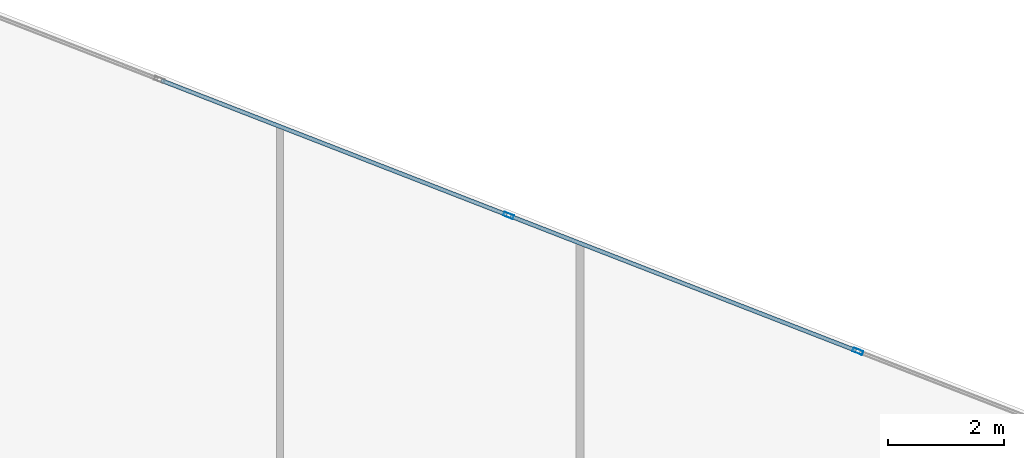
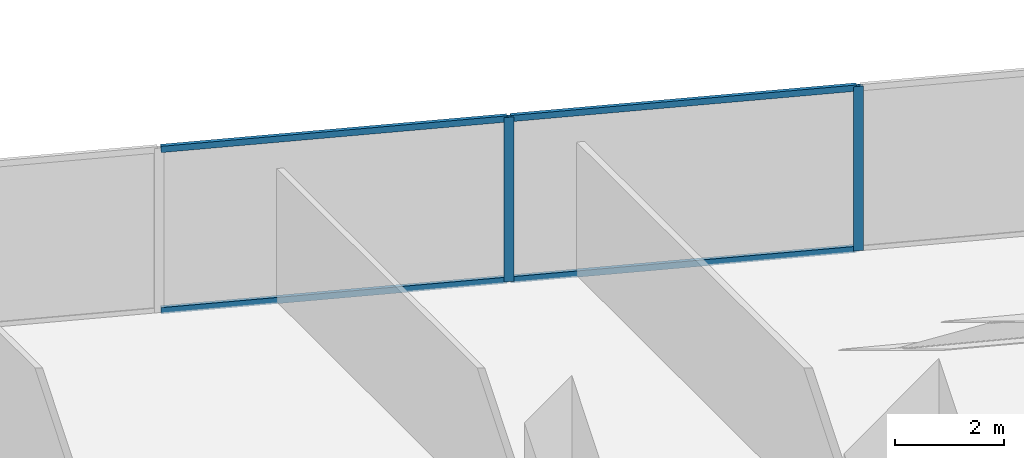
# One storey, part 20 of 26: 6 members, 1 element without a shape of its own.
"""IFC4 building model written with IfcOpenShell, lengths in metres."""

from ifc_helpers import new_model, si_unit, direction, frame, origin, origin_2d, place, context, subcontext, project, spatial, hollow_rectangle, extrude, source, transform, mapped, material, material_profile, profile_set, type_object, type_shapes, element, aggregate, save


model = new_model("IFC4")

# Units and contexts
model_context = context("Model", 3, precision=1e-05, world=origin(), true_north=direction((0.0, 1.0)))
body_context = subcontext(model_context, "Body", "Model", "MODEL_VIEW")
ifc_project = project(units=[si_unit("LENGTHUNIT", "METRE"), si_unit("AREAUNIT", "SQUARE_METRE"), si_unit("VOLUMEUNIT", "CUBIC_METRE"), si_unit("PLANEANGLEUNIT", "RADIAN"), si_unit("MASSUNIT", "GRAM", prefix="KILO")], contexts=[model_context])

# Site, building, storey
site_placement = place(None, origin())
site = spatial("IfcSite", under=ifc_project, at=site_placement, CompositionType="ELEMENT")
building_placement = place(site_placement, origin())
building = spatial("IfcBuilding", under=site, at=building_placement, Name="Krantzveldt Concourse Tower", CompositionType="ELEMENT")
storey_placement = place(building_placement, frame((0.0, 0.0, 129.550048828125)))
storey = spatial("IfcBuildingStorey", under=building, at=storey_placement, Name="L31", CompositionType="ELEMENT", Elevation=129.550048828125)

# Curtain wall, members
ifc_material = material(Name="Anodised aluminium 6063-T6", Category="aluminium")
curtain_wall_type = type_object("IfcCurtainWallType", Name="CW2", PredefinedType="USERDEFINED", material=ifc_material)
curtain_wall_placement = place(storey_placement, origin())
curtain_wall = element("IfcCurtainWall", 1, at=curtain_wall_placement, inside=storey, type_object=curtain_wall_type, Name="CW-L31-F14", ObjectType="UNITISED CURTAIN WALL", PredefinedType="USERDEFINED")
ifc_material_profile_1 = material_profile(ifc_material, hollow_rectangle(XDim=0.070068359375, YDim=0.179931640625, WallThickness=0.0048828125, at=origin_2d()), Name="Anodised aluminium 6063-T6", Category="aluminium")
ifc_profile_set_1 = profile_set([ifc_material_profile_1], Name="Anodised aluminium 6063-T6 - ALU-MULL 180x70x5")
member_type_1 = type_object("IfcMemberType", Name="CW-MUL-180", PredefinedType="MULLION", material=ifc_profile_set_1)
shared_shape_1 = source(origin(), body_context, "Body", "SweptSolid", [
    extrude(hollow_rectangle(XDim=0.070068359375, YDim=0.179931640625, WallThickness=0.0048828125, at=origin_2d()), origin(), (0.0, 0.0, 1.0), 3.669921875),
])
type_shapes(member_type_1, [shared_shape_1])
member_1_placement = place(storey_placement, frame((50.475341796875, 46.081298828125, 0.0), z_axis=(0.0, 0.0, 1.0), x_axis=(-0.362437952917, -0.93200790248, 0.0)))
member_1 = element("IfcMember", 2, at=member_1_placement, type_object=member_type_1, Name="CW-Z12 mullion 3", PredefinedType="MULLION", context=body_context, shape_type="MappedRepresentation", body=[
    mapped(shared_shape_1, transform((0.0, 0.0, 0.0), x_axis=(1.0, 0.0, 0.0), y_axis=(0.0, 1.0, 0.0), z_axis=(0.0, 0.0, 1.0), scale=1.0)),
])
member_2_placement = place(storey_placement, frame((44.448486328125, 48.425048828125, 0.0), z_axis=(0.0, 0.0, 1.0), x_axis=(-0.362437952917, -0.93200790248, 0.0)))
member_2 = element("IfcMember", 3, at=member_2_placement, type_object=member_type_1, Name="CW-Z12 mullion 4", PredefinedType="MULLION", context=body_context, shape_type="MappedRepresentation", body=[
    mapped(shared_shape_1, transform((0.0, 0.0, 0.0), x_axis=(1.0, 0.0, 0.0), y_axis=(0.0, 1.0, 0.0), z_axis=(0.0, 0.0, 1.0), scale=1.0)),
])
ifc_material_profile_2 = material_profile(ifc_material, hollow_rectangle(XDim=0.070068359375, YDim=0.139892578125, WallThickness=0.0048828125, at=origin_2d()), Name="Anodised aluminium 6063-T6", Category="aluminium")
ifc_profile_set_2 = profile_set([ifc_material_profile_2], Name="Anodised aluminium 6063-T6 - ALU-TRAN 140x70x5")
member_type_2 = type_object("IfcMemberType", Name="CW-TRN-150", PredefinedType="USERDEFINED", material=ifc_profile_set_2)
shared_shape_2 = source(origin(), body_context, "Body", "SweptSolid", [
    extrude(hollow_rectangle(XDim=0.070068359375, YDim=0.139892578125, WallThickness=0.0048828125, at=origin_2d()), origin(), (0.0, 0.0, 1.0), 6.396728515625),
])
member_3_placement = place(storey_placement, frame((50.44287109375, 46.093994140625, 0.034912109375), z_axis=(-0.932013266299, 0.362424159573, 0.0), x_axis=(-0.362424159573, -0.932013266299, 0.0)))
member_3 = element("IfcMember", 4, at=member_3_placement, type_object=member_type_2, Name="CW-Z12 transom 3.1", ObjectType="TRANSOM", PredefinedType="USERDEFINED", context=body_context, shape_type="MappedRepresentation", body=[
    mapped(shared_shape_2, transform((0.0, 0.0, 0.0), x_axis=(1.0, 0.0, 0.0), y_axis=(0.0, 1.0, 0.0), z_axis=(0.0, 0.0, 1.0), scale=1.0)),
])
member_4_placement = place(storey_placement, frame((50.44287109375, 46.093994140625, 3.635009765625), z_axis=(-0.932013266299, 0.362424159573, 0.0), x_axis=(-0.362424159573, -0.932013266299, 0.0)))
member_4 = element("IfcMember", 5, at=member_4_placement, type_object=member_type_2, Name="CW-Z12 transom 3.2", ObjectType="TRANSOM", PredefinedType="USERDEFINED", context=body_context, shape_type="MappedRepresentation", body=[
    mapped(shared_shape_2, transform((0.0, 0.0, 0.0), x_axis=(1.0, 0.0, 0.0), y_axis=(0.0, 1.0, 0.0), z_axis=(0.0, 0.0, 1.0), scale=1.0)),
])
shared_shape_3 = source(origin(), body_context, "Body", "SweptSolid", [
    extrude(hollow_rectangle(XDim=0.070068359375, YDim=0.139892578125, WallThickness=0.0048828125, at=origin_2d()), origin(), (0.0, 0.0, 1.0), 6.396484375),
])
type_shapes(member_type_2, [shared_shape_2, shared_shape_3])
member_5_placement = place(storey_placement, frame((44.415771484375, 48.437744140625, 0.034912109375), z_axis=(-0.932008252882, 0.36243705186, 0.0), x_axis=(-0.36243705186, -0.932008252882, 0.0)))
member_5 = element("IfcMember", 6, at=member_5_placement, type_object=member_type_2, Name="CW-Z12 transom 4.1", ObjectType="TRANSOM", PredefinedType="USERDEFINED", context=body_context, shape_type="MappedRepresentation", body=[
    mapped(shared_shape_3, transform((0.0, 0.0, 0.0), x_axis=(1.0, 0.0, 0.0), y_axis=(0.0, 1.0, 0.0), z_axis=(0.0, 0.0, 1.0), scale=1.0)),
])
member_6_placement = place(storey_placement, frame((44.415771484375, 48.437744140625, 3.635009765625), z_axis=(-0.932008252882, 0.36243705186, 0.0), x_axis=(-0.36243705186, -0.932008252882, 0.0)))
member_6 = element("IfcMember", 7, at=member_6_placement, type_object=member_type_2, Name="CW-Z12 transom 4.2", ObjectType="TRANSOM", PredefinedType="USERDEFINED", context=body_context, shape_type="MappedRepresentation", body=[
    mapped(shared_shape_3, transform((0.0, 0.0, 0.0), x_axis=(1.0, 0.0, 0.0), y_axis=(0.0, 1.0, 0.0), z_axis=(0.0, 0.0, 1.0), scale=1.0)),
])
aggregate(curtain_wall, [member_1, member_2, member_3, member_4, member_5, member_6])

save(model, "model.ifc")
